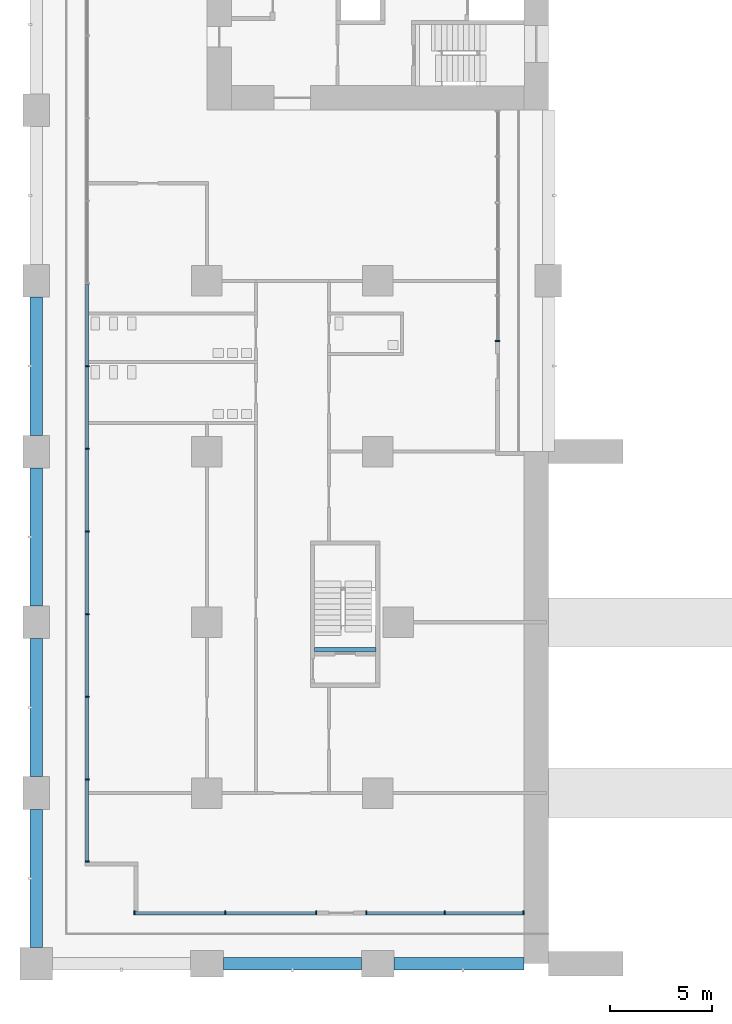
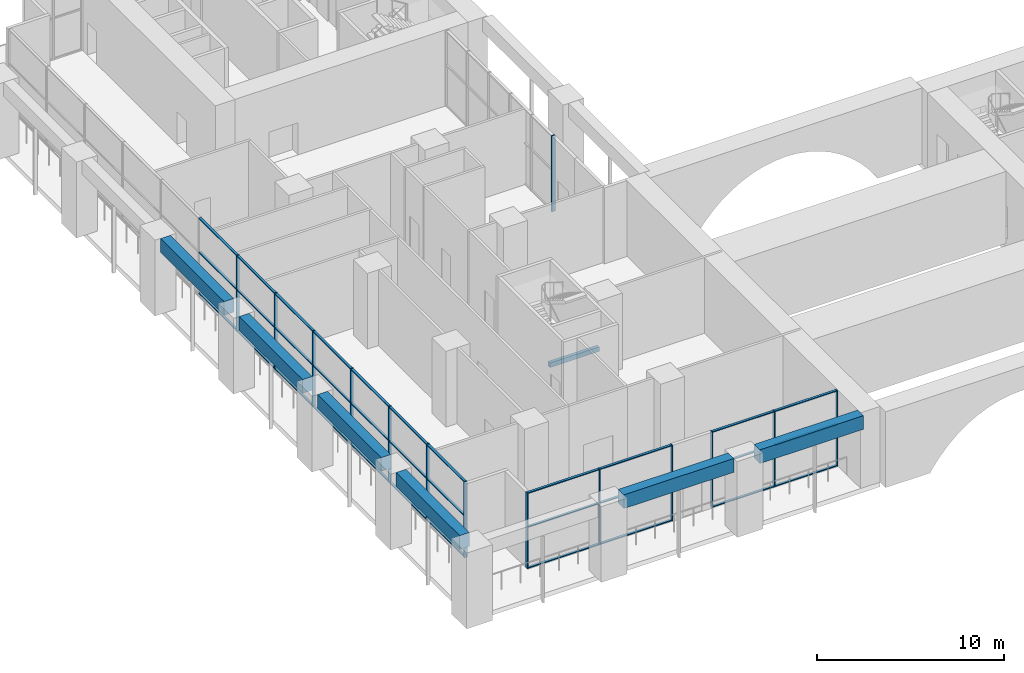
# One storey, part 2 of 26: 47 members, 7 beams, 4 elements without a shape of their own.
"""IFC4 building model written with IfcOpenShell, lengths in metres."""

from ifc_helpers import new_model, si_unit, direction, frame, origin, origin_2d, place, context, subcontext, project, spatial, rectangle, extrude, material, material_profile, profile_set, type_object, element, aggregate, save


model = new_model("IFC4")

# Units and contexts
model_context = context("Model", 3, precision=1e-05, world=origin(), true_north=direction((0.0, 1.0)))
body_context = subcontext(model_context, "Body", "Model", "MODEL_VIEW")
ifc_project = project(units=[si_unit("LENGTHUNIT", "METRE"), si_unit("AREAUNIT", "SQUARE_METRE"), si_unit("VOLUMEUNIT", "CUBIC_METRE"), si_unit("PLANEANGLEUNIT", "RADIAN"), si_unit("MASSUNIT", "GRAM", prefix="KILO")], contexts=[model_context])

# Site, building, storey
site_placement = place(None, origin())
site = spatial("IfcSite", under=ifc_project, at=site_placement, CompositionType="ELEMENT")
building_placement = place(site_placement, origin())
building = spatial("IfcBuilding", under=site, at=building_placement, Name="Vermilion Gate Residences", CompositionType="ELEMENT")
storey_placement = place(building_placement, frame((0.0, 0.0, 9.0)))
storey = spatial("IfcBuildingStorey", under=building, at=storey_placement, Name="L01", CompositionType="ELEMENT", Elevation=9.0)

# Curtain wall, member
ifc_material_1 = material(Name="Aluminium and glass", Category="aluminium")
curtain_wall_type_1 = type_object("IfcCurtainWallType", Name="LOBBY ENTRANCE GLAZING CURTAIN WALL", PredefinedType="NOTDEFINED", material=ifc_material_1)
curtain_wall_1_placement = place(storey_placement, origin())
curtain_wall_1 = element("IfcCurtainWall", 1, at=curtain_wall_1_placement, inside=storey, type_object=curtain_wall_type_1, Name="Lobby Entrance Glazing 82", PredefinedType="NOTDEFINED")
ifc_material_2 = material(Name="Aluminium", Category="aluminium")
ifc_material_profile_1 = material_profile(ifc_material_2, rectangle(XDim=0.219970703125, YDim=0.080078125, at=origin_2d()), Name="MULLION 80 X 220")
ifc_profile_set_1 = profile_set([ifc_material_profile_1], Name="Aluminium")
member_type_1 = type_object("IfcMemberType", Name="LOBBY ENTRANCE GLAZING MULLION 80 X 220", PredefinedType="MULLION", material=ifc_profile_set_1)
member_1_placement = place(storey_placement, frame((22.699951171875, 30.639892578125, 0.0), z_axis=(0.0, 0.0, 1.0), x_axis=(-1.0, 0.0, 0.0)))
member_1 = element("IfcMember", 2, at=member_1_placement, type_object=member_type_1, Name="ECW5 mullion 1", PredefinedType="MULLION", context=body_context, shape_type="SweptSolid", body=[
    extrude(rectangle(XDim=0.219970703125, YDim=0.080078125, at=origin_2d()), origin(), (0.0, 0.0, 1.0), 4.949951171875),
])
aggregate(curtain_wall_1, [member_1])

# Curtain wall, members
ifc_material_3 = material(Name="Aluminium and glass", Category="aluminium")
curtain_wall_type_2 = type_object("IfcCurtainWallType", Name="PODIUM SHOPFRONT CURTAIN WALL", PredefinedType="NOTDEFINED", material=ifc_material_3)
curtain_wall_2_placement = place(storey_placement, origin())
curtain_wall_2 = element("IfcCurtainWall", 3, at=curtain_wall_2_placement, inside=storey, type_object=curtain_wall_type_2, Name="Podium Shopfront 30", PredefinedType="NOTDEFINED")
ifc_material_4 = material(Name="Aluminium", Category="aluminium")
ifc_material_profile_2 = material_profile(ifc_material_4, rectangle(XDim=0.199951171875, YDim=0.06005859375, at=origin_2d()), Name="MULLION 60 X 200")
ifc_profile_set_2 = profile_set([ifc_material_profile_2], Name="Aluminium")
member_type_2 = type_object("IfcMemberType", Name="PODIUM SHOPFRONT MULLION 60 X 200", PredefinedType="MULLION", material=ifc_profile_set_2)
member_2_placement = place(storey_placement, frame((2.5, 29.39990234375, 0.0), z_axis=(0.0, 0.0, 1.0), x_axis=(1.0, 0.0, 0.0)))
member_2 = element("IfcMember", 4, at=member_2_placement, type_object=member_type_2, Name="ECW1 mullion 7", PredefinedType="MULLION", context=body_context, shape_type="SweptSolid", body=[
    extrude(rectangle(XDim=0.199951171875, YDim=0.06005859375, at=origin_2d()), origin(), (0.0, 0.0, 1.0), 4.949951171875),
])
member_3_placement = place(storey_placement, frame((2.5, 25.333251953125, 0.0), z_axis=(0.0, 0.0, 1.0), x_axis=(1.0, 0.0, 0.0)))
member_3 = element("IfcMember", 5, at=member_3_placement, type_object=member_type_2, Name="ECW1 mullion 8", PredefinedType="MULLION", context=body_context, shape_type="SweptSolid", body=[
    extrude(rectangle(XDim=0.199951171875, YDim=0.06005859375, at=origin_2d()), origin(), (0.0, 0.0, 1.0), 4.949951171875),
])
member_4_placement = place(storey_placement, frame((2.5, 21.2666015625, 0.0), z_axis=(0.0, 0.0, 1.0), x_axis=(1.0, 0.0, 0.0)))
member_4 = element("IfcMember", 6, at=member_4_placement, type_object=member_type_2, Name="ECW1 mullion 9", PredefinedType="MULLION", context=body_context, shape_type="SweptSolid", body=[
    extrude(rectangle(XDim=0.199951171875, YDim=0.06005859375, at=origin_2d()), origin(), (0.0, 0.0, 1.0), 4.949951171875),
])
member_5_placement = place(storey_placement, frame((2.5, 17.199951171875, 0.0), z_axis=(0.0, 0.0, 1.0), x_axis=(1.0, 0.0, 0.0)))
member_5 = element("IfcMember", 7, at=member_5_placement, type_object=member_type_2, Name="ECW1 mullion 10", PredefinedType="MULLION", context=body_context, shape_type="SweptSolid", body=[
    extrude(rectangle(XDim=0.199951171875, YDim=0.06005859375, at=origin_2d()), origin(), (0.0, 0.0, 1.0), 4.949951171875),
])
member_6_placement = place(storey_placement, frame((2.5, 13.13330078125, 0.0), z_axis=(0.0, 0.0, 1.0), x_axis=(1.0, 0.0, 0.0)))
member_6 = element("IfcMember", 8, at=member_6_placement, type_object=member_type_2, Name="ECW1 mullion 11", PredefinedType="MULLION", context=body_context, shape_type="SweptSolid", body=[
    extrude(rectangle(XDim=0.199951171875, YDim=0.06005859375, at=origin_2d()), origin(), (0.0, 0.0, 1.0), 4.949951171875),
])
member_7_placement = place(storey_placement, frame((2.5, 9.066650390625, 0.0), z_axis=(0.0, 0.0, 1.0), x_axis=(1.0, 0.0, 0.0)))
member_7 = element("IfcMember", 9, at=member_7_placement, type_object=member_type_2, Name="ECW1 mullion 12", PredefinedType="MULLION", context=body_context, shape_type="SweptSolid", body=[
    extrude(rectangle(XDim=0.199951171875, YDim=0.06005859375, at=origin_2d()), origin(), (0.0, 0.0, 1.0), 4.949951171875),
])
member_8_placement = place(storey_placement, frame((2.5, 5.030029296875, 0.0), z_axis=(0.0, 0.0, 1.0), x_axis=(1.0, 0.0, 0.0)))
member_8 = element("IfcMember", 10, at=member_8_placement, type_object=member_type_2, Name="ECW1 mullion 13", PredefinedType="MULLION", context=body_context, shape_type="SweptSolid", body=[
    extrude(rectangle(XDim=0.199951171875, YDim=0.06005859375, at=origin_2d()), origin(), (0.0, 0.0, 1.0), 4.949951171875),
])

curtain_wall_3_placement = place(storey_placement, origin())
curtain_wall_3 = element("IfcCurtainWall", 11, at=curtain_wall_3_placement, inside=storey, type_object=curtain_wall_type_2, Name="Podium Shopfront 60", PredefinedType="NOTDEFINED")
member_9_placement = place(storey_placement, frame((4.830078125, 2.5, 0.0), z_axis=(0.0, 0.0, 1.0), x_axis=(0.0, 1.0, 0.0)))
member_9 = element("IfcMember", 12, at=member_9_placement, type_object=member_type_2, Name="ECW1 mullion 1", PredefinedType="MULLION", context=body_context, shape_type="SweptSolid", body=[
    extrude(rectangle(XDim=0.199951171875, YDim=0.06005859375, at=origin_2d()), origin(), (0.0, 0.0, 1.0), 4.949951171875),
])
member_10_placement = place(storey_placement, frame((9.300048828125, 2.5, 0.0), z_axis=(0.0, 0.0, 1.0), x_axis=(0.0, 1.0, 0.0)))
member_10 = element("IfcMember", 13, at=member_10_placement, type_object=member_type_2, Name="ECW1 mullion 2", PredefinedType="MULLION", context=body_context, shape_type="SweptSolid", body=[
    extrude(rectangle(XDim=0.199951171875, YDim=0.06005859375, at=origin_2d()), origin(), (0.0, 0.0, 1.0), 4.949951171875),
])
member_11_placement = place(storey_placement, frame((13.77001953125, 2.5, 0.0), z_axis=(0.0, 0.0, 1.0), x_axis=(0.0, 1.0, 0.0)))
member_11 = element("IfcMember", 14, at=member_11_placement, type_object=member_type_2, Name="ECW1 mullion 3", PredefinedType="MULLION", context=body_context, shape_type="SweptSolid", body=[
    extrude(rectangle(XDim=0.199951171875, YDim=0.06005859375, at=origin_2d()), origin(), (0.0, 0.0, 1.0), 4.949951171875),
])

curtain_wall_4_placement = place(storey_placement, origin())
curtain_wall_4 = element("IfcCurtainWall", 15, at=curtain_wall_4_placement, inside=storey, type_object=curtain_wall_type_2, Name="Podium Shopfront 62", PredefinedType="NOTDEFINED")
member_12_placement = place(storey_placement, frame((16.22998046875, 2.5, 0.0), z_axis=(0.0, 0.0, 1.0), x_axis=(0.0, 1.0, 0.0)))
member_12 = element("IfcMember", 16, at=member_12_placement, type_object=member_type_2, Name="ECW1 mullion 1", PredefinedType="MULLION", context=body_context, shape_type="SweptSolid", body=[
    extrude(rectangle(XDim=0.199951171875, YDim=0.06005859375, at=origin_2d()), origin(), (0.0, 0.0, 1.0), 4.949951171875),
])
member_13_placement = place(storey_placement, frame((20.10009765625, 2.5, 0.0), z_axis=(0.0, 0.0, 1.0), x_axis=(0.0, 1.0, 0.0)))
member_13 = element("IfcMember", 17, at=member_13_placement, type_object=member_type_2, Name="ECW1 mullion 2", PredefinedType="MULLION", context=body_context, shape_type="SweptSolid", body=[
    extrude(rectangle(XDim=0.199951171875, YDim=0.06005859375, at=origin_2d()), origin(), (0.0, 0.0, 1.0), 4.949951171875),
])
member_14_placement = place(storey_placement, frame((23.969970703125, 2.5, 0.0), z_axis=(0.0, 0.0, 1.0), x_axis=(0.0, 1.0, 0.0)))
member_14 = element("IfcMember", 18, at=member_14_placement, type_object=member_type_2, Name="ECW1 mullion 3", PredefinedType="MULLION", context=body_context, shape_type="SweptSolid", body=[
    extrude(rectangle(XDim=0.199951171875, YDim=0.06005859375, at=origin_2d()), origin(), (0.0, 0.0, 1.0), 4.949951171875),
])

# Member
ifc_material_5 = material(Name="Aluminium", Category="aluminium")
ifc_material_profile_3 = material_profile(ifc_material_5, rectangle(XDim=0.14990234375, YDim=0.06005859375, at=origin_2d()), Name="TRANSOM 60 X 150")
ifc_profile_set_3 = profile_set([ifc_material_profile_3], Name="Aluminium")
member_type_3 = type_object("IfcMemberType", Name="PODIUM SHOPFRONT TRANSOM 60 X 150", PredefinedType="MULLION", material=ifc_profile_set_3)
member_15_placement = place(storey_placement, frame((2.5, 33.436767578125, 0.030029296875), z_axis=(0.0, -1.0, 0.0), x_axis=(1.0, 0.0, 0.0)))
member_15 = element("IfcMember", 19, at=member_15_placement, type_object=member_type_3, Name="ECW1 transom 6.1", PredefinedType="MULLION", context=body_context, shape_type="SweptSolid", body=[
    extrude(rectangle(XDim=0.14990234375, YDim=0.06005859375, at=origin_2d()), origin(), (0.0, 0.0, 1.0), 4.0068359375),
])

member_16_placement = place(storey_placement, frame((2.5, 33.436767578125, 2.699951171875), z_axis=(0.0, -1.0, 0.0), x_axis=(1.0, 0.0, 0.0)))
member_16 = element("IfcMember", 20, at=member_16_placement, type_object=member_type_3, Name="ECW1 transom 6.2", PredefinedType="MULLION", context=body_context, shape_type="SweptSolid", body=[
    extrude(rectangle(XDim=0.14990234375, YDim=0.06005859375, at=origin_2d()), origin(), (0.0, 0.0, 1.0), 4.0068359375),
])

member_17_placement = place(storey_placement, frame((2.5, 33.436767578125, 4.919921875), z_axis=(0.0, -1.0, 0.0), x_axis=(1.0, 0.0, 0.0)))
member_17 = element("IfcMember", 21, at=member_17_placement, type_object=member_type_3, Name="ECW1 transom 6.3", PredefinedType="MULLION", context=body_context, shape_type="SweptSolid", body=[
    extrude(rectangle(XDim=0.14990234375, YDim=0.06005859375, at=origin_2d()), origin(), (0.0, 0.0, 1.0), 4.0068359375),
])

member_18_placement = place(storey_placement, frame((2.5, 29.3701171875, 0.030029296875), z_axis=(0.0, -1.0, 0.0), x_axis=(1.0, 0.0, 0.0)))
member_18 = element("IfcMember", 22, at=member_18_placement, type_object=member_type_3, Name="ECW1 transom 7.1", PredefinedType="MULLION", context=body_context, shape_type="SweptSolid", body=[
    extrude(rectangle(XDim=0.14990234375, YDim=0.06005859375, at=origin_2d()), origin(), (0.0, 0.0, 1.0), 4.0068359375),
])

member_19_placement = place(storey_placement, frame((2.5, 29.3701171875, 2.699951171875), z_axis=(0.0, -1.0, 0.0), x_axis=(1.0, 0.0, 0.0)))
member_19 = element("IfcMember", 23, at=member_19_placement, type_object=member_type_3, Name="ECW1 transom 7.2", PredefinedType="MULLION", context=body_context, shape_type="SweptSolid", body=[
    extrude(rectangle(XDim=0.14990234375, YDim=0.06005859375, at=origin_2d()), origin(), (0.0, 0.0, 1.0), 4.0068359375),
])

member_20_placement = place(storey_placement, frame((2.5, 29.3701171875, 4.919921875), z_axis=(0.0, -1.0, 0.0), x_axis=(1.0, 0.0, 0.0)))
member_20 = element("IfcMember", 24, at=member_20_placement, type_object=member_type_3, Name="ECW1 transom 7.3", PredefinedType="MULLION", context=body_context, shape_type="SweptSolid", body=[
    extrude(rectangle(XDim=0.14990234375, YDim=0.06005859375, at=origin_2d()), origin(), (0.0, 0.0, 1.0), 4.0068359375),
])

member_21_placement = place(storey_placement, frame((2.5, 25.30322265625, 0.030029296875), z_axis=(0.0, -1.0, 0.0), x_axis=(1.0, 0.0, 0.0)))
member_21 = element("IfcMember", 25, at=member_21_placement, type_object=member_type_3, Name="ECW1 transom 8.1", PredefinedType="MULLION", context=body_context, shape_type="SweptSolid", body=[
    extrude(rectangle(XDim=0.14990234375, YDim=0.06005859375, at=origin_2d()), origin(), (0.0, 0.0, 1.0), 4.006591796875),
])

member_22_placement = place(storey_placement, frame((2.5, 25.30322265625, 2.699951171875), z_axis=(0.0, -1.0, 0.0), x_axis=(1.0, 0.0, 0.0)))
member_22 = element("IfcMember", 26, at=member_22_placement, type_object=member_type_3, Name="ECW1 transom 8.2", PredefinedType="MULLION", context=body_context, shape_type="SweptSolid", body=[
    extrude(rectangle(XDim=0.14990234375, YDim=0.06005859375, at=origin_2d()), origin(), (0.0, 0.0, 1.0), 4.006591796875),
])

member_23_placement = place(storey_placement, frame((2.5, 25.30322265625, 4.919921875), z_axis=(0.0, -1.0, 0.0), x_axis=(1.0, 0.0, 0.0)))
member_23 = element("IfcMember", 27, at=member_23_placement, type_object=member_type_3, Name="ECW1 transom 8.3", PredefinedType="MULLION", context=body_context, shape_type="SweptSolid", body=[
    extrude(rectangle(XDim=0.14990234375, YDim=0.06005859375, at=origin_2d()), origin(), (0.0, 0.0, 1.0), 4.006591796875),
])

member_24_placement = place(storey_placement, frame((2.5, 21.236572265625, 0.030029296875), z_axis=(0.0, -1.0, 0.0), x_axis=(1.0, 0.0, 0.0)))
member_24 = element("IfcMember", 28, at=member_24_placement, type_object=member_type_3, Name="ECW1 transom 9.1", PredefinedType="MULLION", context=body_context, shape_type="SweptSolid", body=[
    extrude(rectangle(XDim=0.14990234375, YDim=0.06005859375, at=origin_2d()), origin(), (0.0, 0.0, 1.0), 4.006591796875),
])

member_25_placement = place(storey_placement, frame((2.5, 21.236572265625, 2.699951171875), z_axis=(0.0, -1.0, 0.0), x_axis=(1.0, 0.0, 0.0)))
member_25 = element("IfcMember", 29, at=member_25_placement, type_object=member_type_3, Name="ECW1 transom 9.2", PredefinedType="MULLION", context=body_context, shape_type="SweptSolid", body=[
    extrude(rectangle(XDim=0.14990234375, YDim=0.06005859375, at=origin_2d()), origin(), (0.0, 0.0, 1.0), 4.006591796875),
])

member_26_placement = place(storey_placement, frame((2.5, 21.236572265625, 4.919921875), z_axis=(0.0, -1.0, 0.0), x_axis=(1.0, 0.0, 0.0)))
member_26 = element("IfcMember", 30, at=member_26_placement, type_object=member_type_3, Name="ECW1 transom 9.3", PredefinedType="MULLION", context=body_context, shape_type="SweptSolid", body=[
    extrude(rectangle(XDim=0.14990234375, YDim=0.06005859375, at=origin_2d()), origin(), (0.0, 0.0, 1.0), 4.006591796875),
])

member_27_placement = place(storey_placement, frame((2.5, 17.169921875, 0.030029296875), z_axis=(0.0, -1.0, 0.0), x_axis=(1.0, 0.0, 0.0)))
member_27 = element("IfcMember", 31, at=member_27_placement, type_object=member_type_3, Name="ECW1 transom 10.1", PredefinedType="MULLION", context=body_context, shape_type="SweptSolid", body=[
    extrude(rectangle(XDim=0.14990234375, YDim=0.06005859375, at=origin_2d()), origin(), (0.0, 0.0, 1.0), 4.006591796875),
])

member_28_placement = place(storey_placement, frame((2.5, 17.169921875, 2.699951171875), z_axis=(0.0, -1.0, 0.0), x_axis=(1.0, 0.0, 0.0)))
member_28 = element("IfcMember", 32, at=member_28_placement, type_object=member_type_3, Name="ECW1 transom 10.2", PredefinedType="MULLION", context=body_context, shape_type="SweptSolid", body=[
    extrude(rectangle(XDim=0.14990234375, YDim=0.06005859375, at=origin_2d()), origin(), (0.0, 0.0, 1.0), 4.006591796875),
])

member_29_placement = place(storey_placement, frame((2.5, 17.169921875, 4.919921875), z_axis=(0.0, -1.0, 0.0), x_axis=(1.0, 0.0, 0.0)))
member_29 = element("IfcMember", 33, at=member_29_placement, type_object=member_type_3, Name="ECW1 transom 10.3", PredefinedType="MULLION", context=body_context, shape_type="SweptSolid", body=[
    extrude(rectangle(XDim=0.14990234375, YDim=0.06005859375, at=origin_2d()), origin(), (0.0, 0.0, 1.0), 4.006591796875),
])

member_30_placement = place(storey_placement, frame((2.5, 13.103271484375, 0.030029296875), z_axis=(0.0, -1.0, 0.0), x_axis=(1.0, 0.0, 0.0)))
member_30 = element("IfcMember", 34, at=member_30_placement, type_object=member_type_3, Name="ECW1 transom 11.1", PredefinedType="MULLION", context=body_context, shape_type="SweptSolid", body=[
    extrude(rectangle(XDim=0.14990234375, YDim=0.06005859375, at=origin_2d()), origin(), (0.0, 0.0, 1.0), 4.006591796875),
])

member_31_placement = place(storey_placement, frame((2.5, 13.103271484375, 2.699951171875), z_axis=(0.0, -1.0, 0.0), x_axis=(1.0, 0.0, 0.0)))
member_31 = element("IfcMember", 35, at=member_31_placement, type_object=member_type_3, Name="ECW1 transom 11.2", PredefinedType="MULLION", context=body_context, shape_type="SweptSolid", body=[
    extrude(rectangle(XDim=0.14990234375, YDim=0.06005859375, at=origin_2d()), origin(), (0.0, 0.0, 1.0), 4.006591796875),
])

member_32_placement = place(storey_placement, frame((2.5, 13.103271484375, 4.919921875), z_axis=(0.0, -1.0, 0.0), x_axis=(1.0, 0.0, 0.0)))
member_32 = element("IfcMember", 36, at=member_32_placement, type_object=member_type_3, Name="ECW1 transom 11.3", PredefinedType="MULLION", context=body_context, shape_type="SweptSolid", body=[
    extrude(rectangle(XDim=0.14990234375, YDim=0.06005859375, at=origin_2d()), origin(), (0.0, 0.0, 1.0), 4.006591796875),
])

member_33_placement = place(storey_placement, frame((2.5, 9.03662109375, 0.030029296875), z_axis=(0.0, -1.0, 0.0), x_axis=(1.0, 0.0, 0.0)))
member_33 = element("IfcMember", 37, at=member_33_placement, type_object=member_type_3, Name="ECW1 transom 12.1", PredefinedType="MULLION", context=body_context, shape_type="SweptSolid", body=[
    extrude(rectangle(XDim=0.14990234375, YDim=0.06005859375, at=origin_2d()), origin(), (0.0, 0.0, 1.0), 3.9765625),
])

member_34_placement = place(storey_placement, frame((2.5, 9.03662109375, 2.699951171875), z_axis=(0.0, -1.0, 0.0), x_axis=(1.0, 0.0, 0.0)))
member_34 = element("IfcMember", 38, at=member_34_placement, type_object=member_type_3, Name="ECW1 transom 12.2", PredefinedType="MULLION", context=body_context, shape_type="SweptSolid", body=[
    extrude(rectangle(XDim=0.14990234375, YDim=0.06005859375, at=origin_2d()), origin(), (0.0, 0.0, 1.0), 3.9765625),
])

member_35_placement = place(storey_placement, frame((2.5, 9.03662109375, 4.919921875), z_axis=(0.0, -1.0, 0.0), x_axis=(1.0, 0.0, 0.0)))
member_35 = element("IfcMember", 39, at=member_35_placement, type_object=member_type_3, Name="ECW1 transom 12.3", PredefinedType="MULLION", context=body_context, shape_type="SweptSolid", body=[
    extrude(rectangle(XDim=0.14990234375, YDim=0.06005859375, at=origin_2d()), origin(), (0.0, 0.0, 1.0), 3.9765625),
])

aggregate(curtain_wall_2, [member_2, member_3, member_4, member_5, member_6, member_7, member_8, member_15, member_16, member_17, member_18, member_19, member_20, member_21, member_22, member_23, member_24, member_25, member_26, member_27, member_28, member_29, member_30, member_31, member_32, member_33, member_34, member_35])

member_36_placement = place(storey_placement, frame((4.860107421875, 2.5, 0.030029296875), z_axis=(1.0, 0.0, 0.0), x_axis=(0.0, 1.0, 0.0)))
member_36 = element("IfcMember", 40, at=member_36_placement, type_object=member_type_3, Name="ECW1 transom 1.1", PredefinedType="MULLION", context=body_context, shape_type="SweptSolid", body=[
    extrude(rectangle(XDim=0.14990234375, YDim=0.06005859375, at=origin_2d()), origin(), (0.0, 0.0, 1.0), 4.409912109375),
])

member_37_placement = place(storey_placement, frame((4.860107421875, 2.5, 2.699951171875), z_axis=(1.0, 0.0, 0.0), x_axis=(0.0, 1.0, 0.0)))
member_37 = element("IfcMember", 41, at=member_37_placement, type_object=member_type_3, Name="ECW1 transom 1.2", PredefinedType="MULLION", context=body_context, shape_type="SweptSolid", body=[
    extrude(rectangle(XDim=0.14990234375, YDim=0.06005859375, at=origin_2d()), origin(), (0.0, 0.0, 1.0), 4.409912109375),
])

member_38_placement = place(storey_placement, frame((4.860107421875, 2.5, 4.919921875), z_axis=(1.0, 0.0, 0.0), x_axis=(0.0, 1.0, 0.0)))
member_38 = element("IfcMember", 42, at=member_38_placement, type_object=member_type_3, Name="ECW1 transom 1.3", PredefinedType="MULLION", context=body_context, shape_type="SweptSolid", body=[
    extrude(rectangle(XDim=0.14990234375, YDim=0.06005859375, at=origin_2d()), origin(), (0.0, 0.0, 1.0), 4.409912109375),
])

member_39_placement = place(storey_placement, frame((9.330078125, 2.5, 0.030029296875), z_axis=(1.0, 0.0, 0.0), x_axis=(0.0, 1.0, 0.0)))
member_39 = element("IfcMember", 43, at=member_39_placement, type_object=member_type_3, Name="ECW1 transom 2.1", PredefinedType="MULLION", context=body_context, shape_type="SweptSolid", body=[
    extrude(rectangle(XDim=0.14990234375, YDim=0.06005859375, at=origin_2d()), origin(), (0.0, 0.0, 1.0), 4.409912109375),
])

member_40_placement = place(storey_placement, frame((9.330078125, 2.5, 2.699951171875), z_axis=(1.0, 0.0, 0.0), x_axis=(0.0, 1.0, 0.0)))
member_40 = element("IfcMember", 44, at=member_40_placement, type_object=member_type_3, Name="ECW1 transom 2.2", PredefinedType="MULLION", context=body_context, shape_type="SweptSolid", body=[
    extrude(rectangle(XDim=0.14990234375, YDim=0.06005859375, at=origin_2d()), origin(), (0.0, 0.0, 1.0), 4.409912109375),
])

member_41_placement = place(storey_placement, frame((9.330078125, 2.5, 4.919921875), z_axis=(1.0, 0.0, 0.0), x_axis=(0.0, 1.0, 0.0)))
member_41 = element("IfcMember", 45, at=member_41_placement, type_object=member_type_3, Name="ECW1 transom 2.3", PredefinedType="MULLION", context=body_context, shape_type="SweptSolid", body=[
    extrude(rectangle(XDim=0.14990234375, YDim=0.06005859375, at=origin_2d()), origin(), (0.0, 0.0, 1.0), 4.409912109375),
])

aggregate(curtain_wall_3, [member_9, member_10, member_11, member_36, member_37, member_38, member_39, member_40, member_41])

member_42_placement = place(storey_placement, frame((16.260009765625, 2.5, 0.030029296875), z_axis=(1.0, 0.0, 0.0), x_axis=(0.0, 1.0, 0.0)))
member_42 = element("IfcMember", 46, at=member_42_placement, type_object=member_type_3, Name="ECW1 transom 1.1", PredefinedType="MULLION", context=body_context, shape_type="SweptSolid", body=[
    extrude(rectangle(XDim=0.14990234375, YDim=0.06005859375, at=origin_2d()), origin(), (0.0, 0.0, 1.0), 3.81005859375),
])

member_43_placement = place(storey_placement, frame((16.260009765625, 2.5, 2.699951171875), z_axis=(1.0, 0.0, 0.0), x_axis=(0.0, 1.0, 0.0)))
member_43 = element("IfcMember", 47, at=member_43_placement, type_object=member_type_3, Name="ECW1 transom 1.2", PredefinedType="MULLION", context=body_context, shape_type="SweptSolid", body=[
    extrude(rectangle(XDim=0.14990234375, YDim=0.06005859375, at=origin_2d()), origin(), (0.0, 0.0, 1.0), 3.81005859375),
])

member_44_placement = place(storey_placement, frame((16.260009765625, 2.5, 4.919921875), z_axis=(1.0, 0.0, 0.0), x_axis=(0.0, 1.0, 0.0)))
member_44 = element("IfcMember", 48, at=member_44_placement, type_object=member_type_3, Name="ECW1 transom 1.3", PredefinedType="MULLION", context=body_context, shape_type="SweptSolid", body=[
    extrude(rectangle(XDim=0.14990234375, YDim=0.06005859375, at=origin_2d()), origin(), (0.0, 0.0, 1.0), 3.81005859375),
])

member_45_placement = place(storey_placement, frame((20.1298828125, 2.5, 0.030029296875), z_axis=(1.0, 0.0, 0.0), x_axis=(0.0, 1.0, 0.0)))
member_45 = element("IfcMember", 49, at=member_45_placement, type_object=member_type_3, Name="ECW1 transom 2.1", PredefinedType="MULLION", context=body_context, shape_type="SweptSolid", body=[
    extrude(rectangle(XDim=0.14990234375, YDim=0.06005859375, at=origin_2d()), origin(), (0.0, 0.0, 1.0), 3.81005859375),
])

member_46_placement = place(storey_placement, frame((20.1298828125, 2.5, 2.699951171875), z_axis=(1.0, 0.0, 0.0), x_axis=(0.0, 1.0, 0.0)))
member_46 = element("IfcMember", 50, at=member_46_placement, type_object=member_type_3, Name="ECW1 transom 2.2", PredefinedType="MULLION", context=body_context, shape_type="SweptSolid", body=[
    extrude(rectangle(XDim=0.14990234375, YDim=0.06005859375, at=origin_2d()), origin(), (0.0, 0.0, 1.0), 3.81005859375),
])

member_47_placement = place(storey_placement, frame((20.1298828125, 2.5, 4.919921875), z_axis=(1.0, 0.0, 0.0), x_axis=(0.0, 1.0, 0.0)))
member_47 = element("IfcMember", 51, at=member_47_placement, type_object=member_type_3, Name="ECW1 transom 2.3", PredefinedType="MULLION", context=body_context, shape_type="SweptSolid", body=[
    extrude(rectangle(XDim=0.14990234375, YDim=0.06005859375, at=origin_2d()), origin(), (0.0, 0.0, 1.0), 3.81005859375),
])

aggregate(curtain_wall_4, [member_12, member_13, member_14, member_42, member_43, member_44, member_45, member_46, member_47])

# Beams
ifc_material_6 = material(Name="Concrete C60 red-oxide pigmented", Category="concrete")
ifc_material_profile_4 = material_profile(ifc_material_6, rectangle(XDim=0.60009765625, YDim=0.89990234375, at=origin_2d()), Name="RC-600x900")
ifc_profile_set_4 = profile_set([ifc_material_profile_4], Name="Concrete C60 red-oxide pigmented")
beam_type_1 = type_object("IfcBeamType", Name="RC EDGE BEAM 600 X 900 C60", PredefinedType="BEAM", material=ifc_profile_set_4)
for number, where, z_axis, x_axis, name in (
    (52, (0.0, 0.800048828125, 4.5), (0.0, 1.0, 0.0), (-1.0, 0.0, 0.0), "Edge beam L01 2"),
    (53, (0.0, 9.199951171875, 4.5), (0.0, 1.0, 0.0), (-1.0, 0.0, 0.0), "Edge beam L01 3"),
):
    element("IfcBeam", number, at=place(storey_placement, frame(where, z_axis=z_axis, x_axis=x_axis)), inside=storey, type_object=beam_type_1, Name=name, PredefinedType="BEAM", context=body_context, shape_type="SweptSolid", body=[
        extrude(rectangle(XDim=0.60009765625, YDim=0.89990234375, at=origin_2d()), origin(), (0.0, 0.0, 1.0), 6.800048828125),
    ])
beam_1_placement = place(storey_placement, frame((0.0, 17.60009765625, 4.5), z_axis=(0.0, 1.0, 0.0), x_axis=(-1.0, 0.0, 0.0)))
element("IfcBeam", 54, at=beam_1_placement, inside=storey, type_object=beam_type_1, Name="Edge beam L01 4", PredefinedType="BEAM", context=body_context, shape_type="SweptSolid", body=[
    extrude(rectangle(XDim=0.60009765625, YDim=0.89990234375, at=origin_2d()), origin(), (0.0, 0.0, 1.0), 6.7998046875),
])
for number, where, z_axis, x_axis, name in (
    (55, (0.0, 26.0, 4.5), (0.0, 1.0, 0.0), (-1.0, 0.0, 0.0), "Edge beam L01 5"),
    (56, (9.199951171875, 0.0, 4.5), (1.0, 0.0, 0.0), (0.0, 1.0, 0.0), "Edge beam L01 10"),
):
    element("IfcBeam", number, at=place(storey_placement, frame(where, z_axis=z_axis, x_axis=x_axis)), inside=storey, type_object=beam_type_1, Name=name, PredefinedType="BEAM", context=body_context, shape_type="SweptSolid", body=[
        extrude(rectangle(XDim=0.60009765625, YDim=0.89990234375, at=origin_2d()), origin(), (0.0, 0.0, 1.0), 6.800048828125),
    ])
beam_2_placement = place(storey_placement, frame((17.60009765625, 0.0, 4.5), z_axis=(1.0, 0.0, 0.0), x_axis=(0.0, 1.0, 0.0)))
element("IfcBeam", 57, at=beam_2_placement, inside=storey, type_object=beam_type_1, Name="Edge beam L01 11", PredefinedType="BEAM", context=body_context, shape_type="SweptSolid", body=[
    extrude(rectangle(XDim=0.60009765625, YDim=0.89990234375, at=origin_2d()), origin(), (0.0, 0.0, 1.0), 6.39990234375),
])
ifc_material_7 = material(Name="Concrete C50", Category="concrete")
ifc_material_profile_5 = material_profile(ifc_material_7, rectangle(XDim=0.199951171875, YDim=0.300048828125, at=origin_2d()), Name="RC-200x300")
ifc_profile_set_5 = profile_set([ifc_material_profile_5], Name="Concrete C50")
beam_type_2 = type_object("IfcBeamType", Name="RC LANDING BEAM 200 X 300 C50", PredefinedType="BEAM", material=ifc_profile_set_5)
beam_3_placement = place(storey_placement, frame((13.679931640625, 15.449951171875, 2.35009765625), z_axis=(1.0, 0.0, 0.0), x_axis=(0.0, 1.0, 0.0)))
element("IfcBeam", 58, at=beam_3_placement, inside=storey, type_object=beam_type_2, Name="Landing beam STC1-01 2", PredefinedType="BEAM", context=body_context, shape_type="SweptSolid", body=[
    extrude(rectangle(XDim=0.199951171875, YDim=0.300048828125, at=origin_2d()), origin(), (0.0, 0.0, 1.0), 3.0400390625),
])

save(model, "model.ifc")
